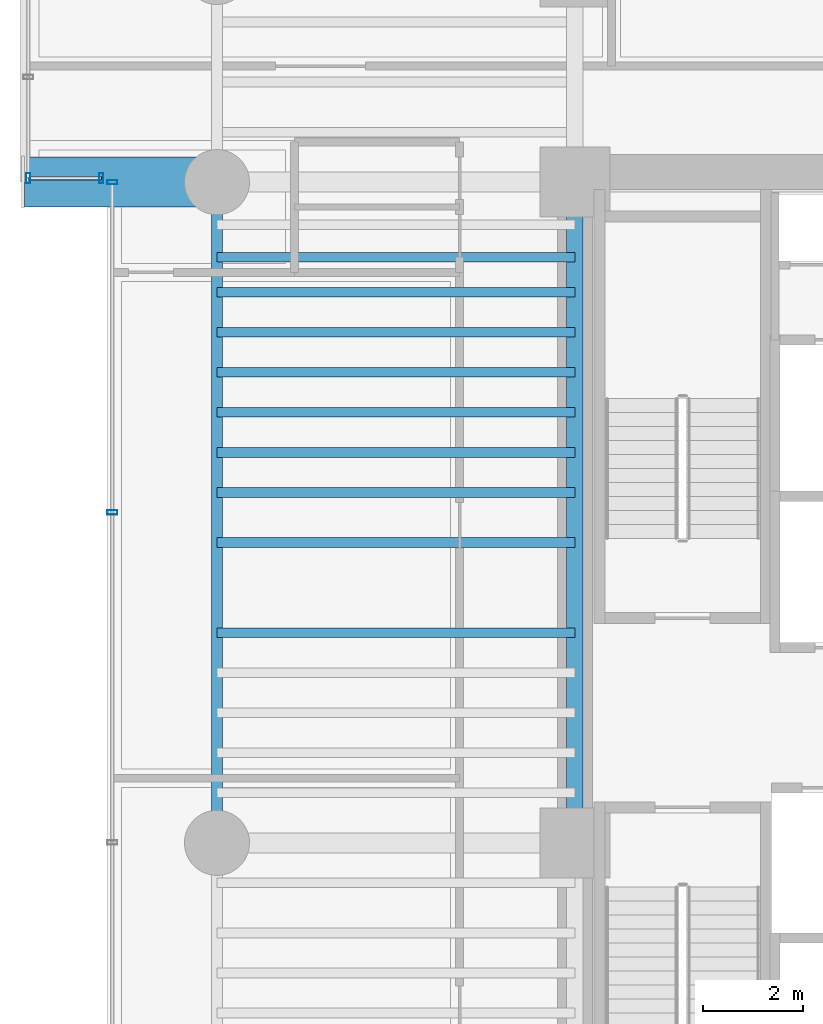
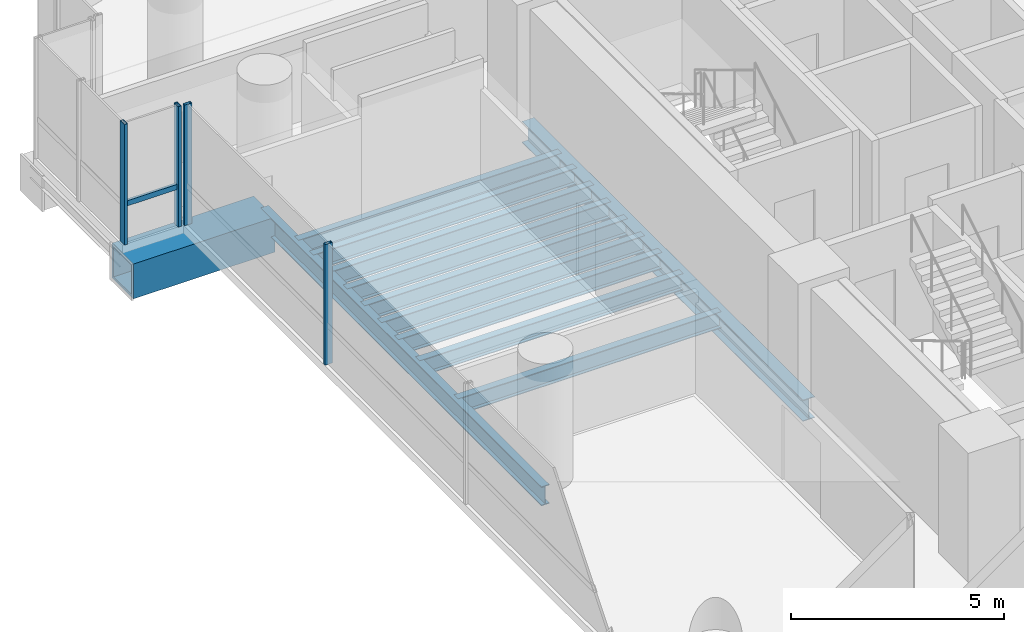
# One storey, part 10 of 40: 12 beams, 5 members, 2 elements without a shape of their own.
"""IFC4 building model written with IfcOpenShell, lengths in metres."""

from ifc_helpers import new_model, si_unit, direction, frame, origin, origin_2d, place, context, subcontext, project, spatial, hollow_rectangle, i_section, extrude, source, transform, mapped, material, material_profile, profile_set, type_object, element, aggregate, save


model = new_model("IFC4")

# Units and contexts
model_context = context("Model", 3, precision=1e-05, world=origin(), true_north=direction((0.0, 1.0)))
body_context = subcontext(model_context, "Body", "Model", "MODEL_VIEW")
ifc_project = project(units=[si_unit("LENGTHUNIT", "METRE"), si_unit("AREAUNIT", "SQUARE_METRE"), si_unit("VOLUMEUNIT", "CUBIC_METRE"), si_unit("PLANEANGLEUNIT", "RADIAN"), si_unit("MASSUNIT", "GRAM", prefix="KILO")], contexts=[model_context])

# Site, building, storey
site_placement = place(None, origin())
site = spatial("IfcSite", under=ifc_project, at=site_placement, CompositionType="ELEMENT")
building_placement = place(site_placement, origin())
building = spatial("IfcBuilding", under=site, at=building_placement, Name="Valdorenza Pilgrim Sanctuary Tower", CompositionType="ELEMENT")
storey_placement = place(building_placement, frame((0.0, 0.0, 48.199951171875)))
storey = spatial("IfcBuildingStorey", under=building, at=storey_placement, Name="L11", CompositionType="ELEMENT", Elevation=48.199951171875)

# Beams
ifc_material_1 = material(Name="Steel ASTM A992 Grade 50", Category="steel")
ifc_material_profile_1 = material_profile(ifc_material_1, i_section(OverallWidth=0.214111328125, OverallDepth=0.549072265625, WebThickness=0.0146484375, FlangeThickness=0.023681640625, at=origin_2d()), Name="W21X93")
ifc_profile_set_1 = profile_set([ifc_material_profile_1], Name="Steel ASTM A992 Grade 50")
beam_type_1 = type_object("IfcBeamType", Name="STR-BM-SPN-W21A", PredefinedType="SPANDREL", material=ifc_profile_set_1)
shared_shape_1 = source(origin(), body_context, "Body", "SweptSolid", [
    extrude(i_section(OverallWidth=0.214111328125, OverallDepth=0.549072265625, WebThickness=0.0146484375, FlangeThickness=0.023681640625, at=origin_2d()), origin(), (0.0, 0.0, 1.0), 13.2001953125),
])
beam_1_placement = place(storey_placement, frame((-29.800048828125, -2.60009765625, -0.514404296875), z_axis=(0.0, 1.0, 0.0), x_axis=(-1.0, 0.0, 0.0)))
element("IfcBeam", 1, at=beam_1_placement, inside=storey, type_object=beam_type_1, Name="L11 Spandrel Beam WA-W-M0N1", PredefinedType="SPANDREL", context=body_context, shape_type="MappedRepresentation", body=[
    mapped(shared_shape_1, transform((0.0, 0.0, 0.0), x_axis=(1.0, 0.0, 0.0), y_axis=(0.0, 1.0, 0.0), z_axis=(0.0, 0.0, 1.0), scale=1.0)),
])
ifc_material_profile_2 = material_profile(ifc_material_1, i_section(OverallWidth=0.323974609375, OverallDepth=0.611083984375, WebThickness=0.0126953125, FlangeThickness=0.01904296875, at=origin_2d()), Name="W24X104")
ifc_profile_set_2 = profile_set([ifc_material_profile_2], Name="Steel ASTM A992 Grade 50")
beam_type_2 = type_object("IfcBeamType", Name="STR-BM-GRD-W24B", PredefinedType="BEAM", material=ifc_profile_set_2)
shared_shape_2 = source(origin(), body_context, "Body", "SweptSolid", [
    extrude(i_section(OverallWidth=0.323974609375, OverallDepth=0.611083984375, WebThickness=0.0126953125, FlangeThickness=0.01904296875, at=origin_2d()), origin(), (0.0, 0.0, 1.0), 13.2001953125),
])
beam_2_placement = place(storey_placement, frame((-22.64990234375, -2.60009765625, -0.54541015625), z_axis=(0.0, 1.0, 0.0), x_axis=(-1.0, 0.0, 0.0)))
element("IfcBeam", 2, at=beam_2_placement, inside=storey, type_object=beam_type_2, Name="L11 Core Tie Girder CA-W-M0N1", PredefinedType="BEAM", context=body_context, shape_type="MappedRepresentation", body=[
    mapped(shared_shape_2, transform((0.0, 0.0, 0.0), x_axis=(1.0, 0.0, 0.0), y_axis=(0.0, 1.0, 0.0), z_axis=(0.0, 0.0, 1.0), scale=1.0)),
])
ifc_material_profile_3 = material_profile(ifc_material_1, i_section(OverallWidth=0.193115234375, OverallDepth=0.466064453125, WebThickness=0.011474609375, FlangeThickness=0.01904296875, at=origin_2d()), Name="W18X65")
ifc_profile_set_3 = profile_set([ifc_material_profile_3], Name="Steel ASTM A992 Grade 50")
beam_type_3 = type_object("IfcBeamType", Name="STR-BM-JST-W18A", PredefinedType="JOIST", material=ifc_profile_set_3)
shared_shape_3 = source(origin(), body_context, "Body", "SweptSolid", [
    extrude(i_section(OverallWidth=0.193115234375, OverallDepth=0.466064453125, WebThickness=0.011474609375, FlangeThickness=0.01904296875, at=origin_2d()), origin(), (0.0, 0.0, 1.0), 7.150146484375),
])
for number, where, z_axis, x_axis, name in (
    (3, (-29.800048828125, 1.60009765625, -0.472900390625), (1.0, 0.0, 0.0), (0.0, 1.0, 0.0), "L11 Composite Floor Joist JST-WA-14"),
    (4, (-29.800048828125, 3.39990234375, -0.472900390625), (1.0, 0.0, 0.0), (0.0, 1.0, 0.0), "L11 Composite Floor Joist JST-WA-15"),
    (5, (-29.800048828125, 4.39990234375, -0.472900390625), (1.0, 0.0, 0.0), (0.0, 1.0, 0.0), "L11 Composite Floor Joist JST-WA-16"),
    (6, (-29.800048828125, 5.199951171875, -0.472900390625), (1.0, 0.0, 0.0), (0.0, 1.0, 0.0), "L11 Composite Floor Joist JST-WA-17"),
    (7, (-29.800048828125, 6.0, -0.472900390625), (1.0, 0.0, 0.0), (0.0, 1.0, 0.0), "L11 Composite Floor Joist JST-WA-18"),
    (8, (-29.800048828125, 6.800048828125, -0.472900390625), (1.0, 0.0, 0.0), (0.0, 1.0, 0.0), "L11 Composite Floor Joist JST-WA-19"),
    (9, (-29.800048828125, 7.60009765625, -0.472900390625), (1.0, 0.0, 0.0), (0.0, 1.0, 0.0), "L11 Composite Floor Joist JST-WA-20"),
    (10, (-29.800048828125, 8.39990234375, -0.472900390625), (1.0, 0.0, 0.0), (0.0, 1.0, 0.0), "L11 Composite Floor Joist JST-WA-21"),
    (11, (-29.800048828125, 9.10009765625, -0.472900390625), (1.0, 0.0, 0.0), (0.0, 1.0, 0.0), "L11 Composite Floor Joist JST-WA-22"),
):
    element("IfcBeam", number, at=place(storey_placement, frame(where, z_axis=z_axis, x_axis=x_axis)), inside=storey, type_object=beam_type_3, Name=name, PredefinedType="JOIST", context=body_context, shape_type="MappedRepresentation", body=[
        mapped(shared_shape_3, transform((0.0, 0.0, 0.0), x_axis=(1.0, 0.0, 0.0), y_axis=(0.0, 1.0, 0.0), z_axis=(0.0, 0.0, 1.0), scale=1.0)),
    ])
ifc_material_2 = material(Name="Steel ASTM A572 Grade 42", Category="steel")
ifc_material_profile_4 = material_profile(ifc_material_2, hollow_rectangle(XDim=1.0, YDim=1.0, WallThickness=0.080078125, at=origin_2d()), Name="BOX 1000x1000x80")
ifc_profile_set_4 = profile_set([ifc_material_profile_4], Name="Steel ASTM A572 Grade 42")
beam_type_4 = type_object("IfcBeamType", Name="STR-BM-PROW-CANT", PredefinedType="BEAM", material=ifc_profile_set_4)
shared_shape_4 = source(origin(), body_context, "Body", "SweptSolid", [
    extrude(hollow_rectangle(XDim=1.0, YDim=1.0, WallThickness=0.080078125, at=origin_2d()), origin(), (0.0, 0.0, 1.0), 3.849853515625),
])
beam_3_placement = place(storey_placement, frame((-29.800048828125, 10.60009765625, -0.739990234375), z_axis=(-1.0, 0.0, 0.0), x_axis=(0.0, -1.0, 0.0)))
element("IfcBeam", 12, at=beam_3_placement, inside=storey, type_object=beam_type_4, Name="L11 Glass Box Cantilever Beam BOX-WA-L11-CT-S", PredefinedType="BEAM", context=body_context, shape_type="MappedRepresentation", body=[
    mapped(shared_shape_4, transform((0.0, 0.0, 0.0), x_axis=(1.0, 0.0, 0.0), y_axis=(0.0, 1.0, 0.0), z_axis=(0.0, 0.0, 1.0), scale=1.0)),
])

# Curtain wall, members
ifc_material_3 = material(Name="Curtain-wall IGU glazing", Category="glass")
curtain_wall_type = type_object("IfcCurtainWallType", Name="CW-SYS-02", PredefinedType="NOTDEFINED", material=ifc_material_3)
curtain_wall_1_placement = place(storey_placement, origin())
curtain_wall_1 = element("IfcCurtainWall", 13, at=curtain_wall_1_placement, inside=storey, type_object=curtain_wall_type, Name="L11 Curtain Wall CW-L11-1-1S1", PredefinedType="NOTDEFINED")
ifc_material_4 = material(Name="Anodised aluminium AW-6060", Category="aluminium")
ifc_material_profile_5 = material_profile(ifc_material_4, hollow_rectangle(XDim=0.0849609375, YDim=0.199951171875, WallThickness=0.0048828125, at=origin_2d()), Name="ALU-M 200x85x5")
ifc_profile_set_5 = profile_set([ifc_material_profile_5], Name="Anodised aluminium AW-6060")
member_type_1 = type_object("IfcMemberType", Name="CW-MUL-02", PredefinedType="MULLION", material=ifc_profile_set_5)
shared_shape_5 = source(origin(), body_context, "Body", "SweptSolid", [
    extrude(hollow_rectangle(XDim=0.0849609375, YDim=0.199951171875, WallThickness=0.0048828125, at=origin_2d()), origin(), (0.0, 0.0, 1.0), 3.4599609375),
])
member_1_placement = place(storey_placement, frame((-31.889892578125, 4.002685546875, 0.0), z_axis=(0.0, 0.0, 1.0), x_axis=(0.0, 1.0, 0.0)))
member_1 = element("IfcMember", 14, at=member_1_placement, type_object=member_type_1, Name="CW-L11-1-1S1 Mullion 4", PredefinedType="MULLION", context=body_context, shape_type="MappedRepresentation", body=[
    mapped(shared_shape_5, transform((0.0, 0.0, 0.0), x_axis=(1.0, 0.0, 0.0), y_axis=(0.0, 1.0, 0.0), z_axis=(0.0, 0.0, 1.0), scale=1.0)),
])
member_2_placement = place(storey_placement, frame((-31.889892578125, 10.60009765625, 0.0), z_axis=(0.0, 0.0, 1.0), x_axis=(0.0, 1.0, 0.0)))
member_2 = element("IfcMember", 15, at=member_2_placement, type_object=member_type_1, Name="CW-L11-1-1S1 Mullion 5", PredefinedType="MULLION", context=body_context, shape_type="MappedRepresentation", body=[
    mapped(shared_shape_5, transform((0.0, 0.0, 0.0), x_axis=(1.0, 0.0, 0.0), y_axis=(0.0, 1.0, 0.0), z_axis=(0.0, 0.0, 1.0), scale=1.0)),
])
aggregate(curtain_wall_1, [member_1, member_2])

curtain_wall_2_placement = place(storey_placement, origin())
curtain_wall_2 = element("IfcCurtainWall", 16, at=curtain_wall_2_placement, inside=storey, type_object=curtain_wall_type, Name="L11 Curtain Wall CW-L11-BOX-WA-L11-S", PredefinedType="NOTDEFINED")
member_3_placement = place(storey_placement, frame((-32.110107421875, 10.679931640625, 0.0), z_axis=(0.0, 0.0, 1.0), x_axis=(-1.0, 0.0, 0.0)))
member_3 = element("IfcMember", 17, at=member_3_placement, type_object=member_type_1, Name="CW-L11-BOX-WA-L11-S Mullion 1", PredefinedType="MULLION", context=body_context, shape_type="MappedRepresentation", body=[
    mapped(shared_shape_5, transform((0.0, 0.0, 0.0), x_axis=(1.0, 0.0, 0.0), y_axis=(0.0, 1.0, 0.0), z_axis=(0.0, 0.0, 1.0), scale=1.0)),
])
member_4_placement = place(storey_placement, frame((-33.570068359375, 10.679931640625, 0.0), z_axis=(0.0, 0.0, 1.0), x_axis=(-1.0, 0.0, 0.0)))
member_4 = element("IfcMember", 18, at=member_4_placement, type_object=member_type_1, Name="CW-L11-BOX-WA-L11-S Mullion 2", PredefinedType="MULLION", context=body_context, shape_type="MappedRepresentation", body=[
    mapped(shared_shape_5, transform((0.0, 0.0, 0.0), x_axis=(1.0, 0.0, 0.0), y_axis=(0.0, 1.0, 0.0), z_axis=(0.0, 0.0, 1.0), scale=1.0)),
])
ifc_material_profile_6 = material_profile(ifc_material_4, hollow_rectangle(XDim=0.074951171875, YDim=0.14990234375, WallThickness=0.00390625, at=origin_2d()), Name="ALU-T 150x75x4")
ifc_profile_set_6 = profile_set([ifc_material_profile_6], Name="Anodised aluminium AW-6060")
member_type_2 = type_object("IfcMemberType", Name="CW-TRN-02", PredefinedType="USERDEFINED", material=ifc_profile_set_6)
shared_shape_6 = source(origin(), body_context, "Body", "SweptSolid", [
    extrude(hollow_rectangle(XDim=0.074951171875, YDim=0.14990234375, WallThickness=0.00390625, at=origin_2d()), origin(), (0.0, 0.0, 1.0), 1.4599609375),
])
member_5_placement = place(storey_placement, frame((-32.110107421875, 10.679931640625, 1.1201171875), z_axis=(-1.0, 0.0, 0.0), x_axis=(0.0, -1.0, 0.0)))
member_5 = element("IfcMember", 19, at=member_5_placement, type_object=member_type_2, Name="CW-L11-BOX-WA-L11-S Transom 1", ObjectType="TRANSOM", PredefinedType="USERDEFINED", context=body_context, shape_type="MappedRepresentation", body=[
    mapped(shared_shape_6, transform((0.0, 0.0, 0.0), x_axis=(1.0, 0.0, 0.0), y_axis=(0.0, 1.0, 0.0), z_axis=(0.0, 0.0, 1.0), scale=1.0)),
])
aggregate(curtain_wall_2, [member_3, member_4, member_5])

save(model, "model.ifc")
